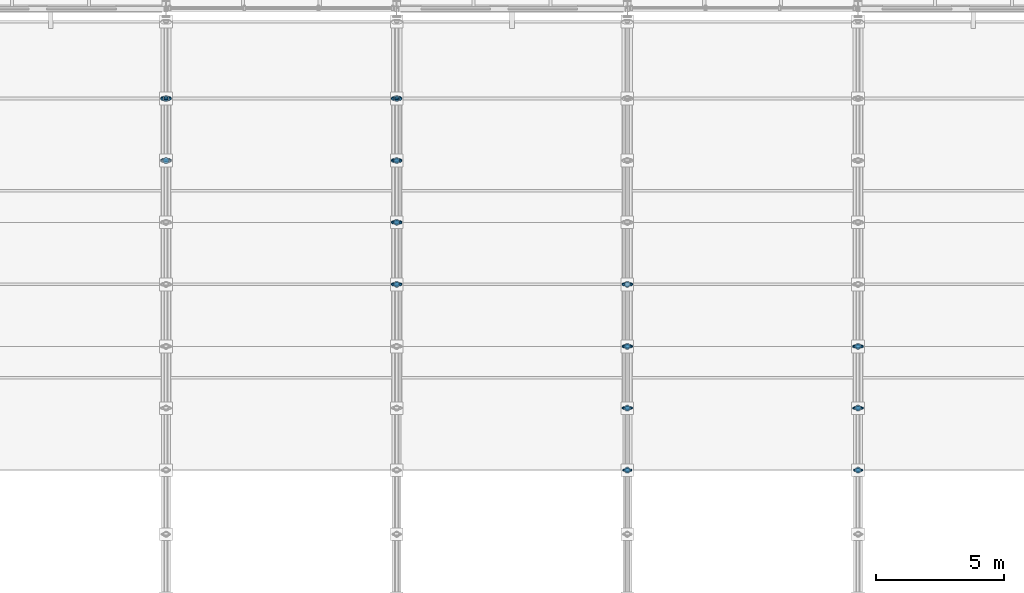
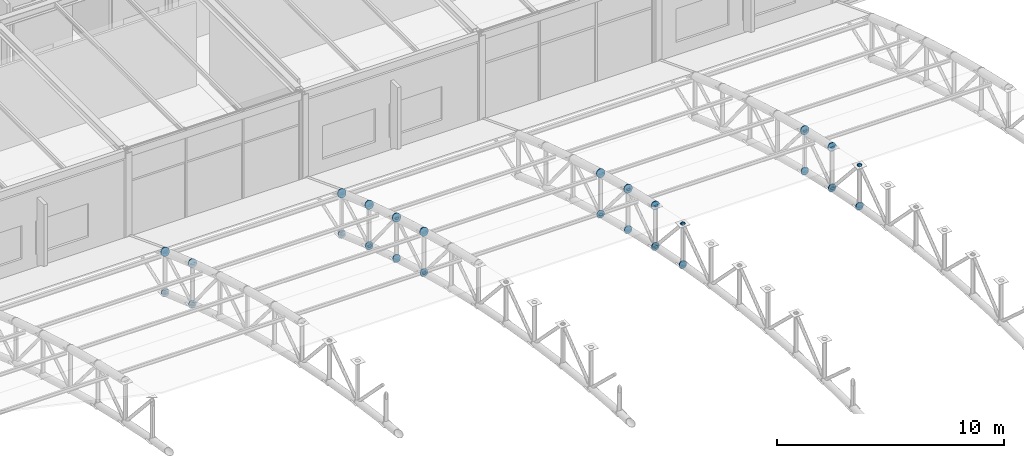
# One storey, part 135 of 195: 92 discrete accessories.
"""IFC4 building model written with IfcOpenShell, lengths in metres."""

from ifc_helpers import new_model, si_unit, direction, frame, origin, origin_2d, place, context, subcontext, project, spatial, circle, extrude, material, element, save


model = new_model("IFC4")

# Units and contexts
model_context = context("Model", 3, precision=1e-05, world=origin(), true_north=direction((0.0, 1.0)))
body_context = subcontext(model_context, "Body", "Model", "MODEL_VIEW")
ifc_project = project(units=[si_unit("LENGTHUNIT", "METRE"), si_unit("AREAUNIT", "SQUARE_METRE"), si_unit("VOLUMEUNIT", "CUBIC_METRE"), si_unit("PLANEANGLEUNIT", "RADIAN"), si_unit("MASSUNIT", "GRAM", prefix="KILO")], contexts=[model_context])

# Site, building, storey
site_placement = place(None, origin())
site = spatial("IfcSite", under=ifc_project, at=site_placement, CompositionType="ELEMENT")
building_placement = place(site_placement, origin())
building = spatial("IfcBuilding", under=site, at=building_placement, Name="Marlcrest Central Station", CompositionType="ELEMENT")
storey_placement = place(building_placement, frame((0.0, 0.0, 9.800048828125)))
storey = spatial("IfcBuildingStorey", under=building, at=storey_placement, Name="L02", CompositionType="ELEMENT", Elevation=9.800048828125)

# Discrete accessories
ifc_material = material(Name="Steel S355", Category="steel")
for number, where, z_axis, x_axis, name in (
    (1, (36.0, 93.06591796875, 2.454345703125), (0.0, 0.94353735649, -0.331266142109), (-1.0, 0.0, 0.0), "endcap-mem-AC-01-L02-00619-s"),
    (2, (36.0, 95.476318359375, 1.608154296875), (0.0, 0.94353735649, -0.331266142109), (-1.0, 0.0, 0.0), "endcap-mem-AC-01-L02-00619-e"),
):
    element("IfcDiscreteAccessory", number, at=place(storey_placement, frame(where, z_axis=z_axis, x_axis=x_axis)), inside=storey, material=ifc_material, Name=name, ObjectType="END_CAP_PLATE", PredefinedType="BRACKET", context=body_context, shape_type="SweptSolid", body=[
        extrude(circle(Radius=0.211181640625, at=origin_2d()), origin(), (0.0, 0.0, 1.0), 0.0400390625),
    ])
for number, where, z_axis, x_axis, name in (
    (3, (36.0, 93.06591796875, 0.25439453125), (0.0, 0.94353735649, -0.331266142109), (-1.0, 0.0, 0.0), "endcap-mem-AC-02-L02-00620-s"),
    (4, (36.0, 95.476318359375, -0.591796875), (0.0, 0.94353735649, -0.331266142109), (-1.0, 0.0, 0.0), "endcap-mem-AC-02-L02-00620-e"),
):
    element("IfcDiscreteAccessory", number, at=place(storey_placement, frame(where, z_axis=z_axis, x_axis=x_axis)), inside=storey, material=ifc_material, Name=name, ObjectType="END_CAP_PLATE", PredefinedType="BRACKET", context=body_context, shape_type="SweptSolid", body=[
        extrude(circle(Radius=0.185791015625, at=origin_2d()), origin(), (0.0, 0.0, 1.0), 0.0400390625),
    ])
for number, where, z_axis, x_axis, name in (
    (5, (36.0, 93.080078125, 0.234619140625), (0.0, 0.0, 1.0), (1.0, 0.0, 0.0), "endcap-mem-AP-01-L02-00621-s"),
    (6, (36.0, 93.080078125, 2.424560546875), (0.0, 0.0, 1.0), (1.0, 0.0, 0.0), "endcap-mem-AP-01-L02-00621-e"),
):
    element("IfcDiscreteAccessory", number, at=place(storey_placement, frame(where, z_axis=z_axis, x_axis=x_axis)), inside=storey, material=ifc_material, Name=name, ObjectType="END_CAP_PLATE", PredefinedType="BRACKET", context=body_context, shape_type="SweptSolid", body=[
        extrude(circle(Radius=0.117431640625, at=origin_2d()), origin(), (0.0, 0.0, 1.0), 0.0400390625),
    ])
for number, where, z_axis, x_axis, name in (
    (7, (36.0, 93.06689453125, 0.2421875), (0.0, 0.873245653167, 0.487280236851), (-1.0, 0.0, 0.0), "endcap-mem-AD-01-L02-00622-s"),
    (8, (36.0, 95.478271484375, 1.587646484375), (0.0, 0.873245653167, 0.487280236851), (-1.0, 0.0, 0.0), "endcap-mem-AD-01-L02-00622-e"),
):
    element("IfcDiscreteAccessory", number, at=place(storey_placement, frame(where, z_axis=z_axis, x_axis=x_axis)), inside=storey, material=ifc_material, Name=name, ObjectType="END_CAP_PLATE", PredefinedType="BRACKET", context=body_context, shape_type="SweptSolid", body=[
        extrude(circle(Radius=0.092041015625, at=origin_2d()), origin(), (0.0, 0.0, 1.0), 0.0400390625),
    ])
discrete_accessory_1_placement = place(storey_placement, frame((36.0, 95.486083984375, 1.605224609375), z_axis=(0.0, 0.933324071143, -0.359035065453), x_axis=(-1.0, 0.0, 0.0)))
element("IfcDiscreteAccessory", 9, at=discrete_accessory_1_placement, inside=storey, material=ifc_material, Name="endcap-mem-AC-01-L02-00623-s", ObjectType="END_CAP_PLATE", PredefinedType="BRACKET", context=body_context, shape_type="SweptSolid", body=[
    extrude(circle(Radius=0.211181640625, at=origin_2d()), origin(), (0.0, 0.0, 1.0), 0.0400390625),
])
for number, where, z_axis, x_axis, name in (
    (10, (36.0, 95.5, -0.614990234375), (0.0, 0.0, 1.0), (1.0, 0.0, 0.0), "endcap-mem-AP-01-L02-00624-s"),
    (11, (36.0, 95.5, 1.574951171875), (0.0, 0.0, 1.0), (1.0, 0.0, 0.0), "endcap-mem-AP-01-L02-00624-e"),
):
    element("IfcDiscreteAccessory", number, at=place(storey_placement, frame(where, z_axis=z_axis, x_axis=x_axis)), inside=storey, material=ifc_material, Name=name, ObjectType="END_CAP_PLATE", PredefinedType="BRACKET", context=body_context, shape_type="SweptSolid", body=[
        extrude(circle(Radius=0.117431640625, at=origin_2d()), origin(), (0.0, 0.0, 1.0), 0.0400390625),
    ])
discrete_accessory_2_placement = place(storey_placement, frame((36.0, 95.48583984375, -0.60498046875), z_axis=(0.0, 0.944260188635, 0.329200085296), x_axis=(-1.0, 0.0, 0.0)))
element("IfcDiscreteAccessory", 12, at=discrete_accessory_2_placement, inside=storey, material=ifc_material, Name="endcap-mem-AD-01-L02-00625-s", ObjectType="END_CAP_PLATE", PredefinedType="BRACKET", context=body_context, shape_type="SweptSolid", body=[
    extrude(circle(Radius=0.092041015625, at=origin_2d()), origin(), (0.0, 0.0, 1.0), 0.0400390625),
])
discrete_accessory_3_placement = place(storey_placement, frame((45.0, 88.225830078125, 3.934326171875), z_axis=(0.0, 0.967539481681, -0.252719906989), x_axis=(-1.0, 0.0, 0.0)))
element("IfcDiscreteAccessory", 13, at=discrete_accessory_3_placement, inside=storey, material=ifc_material, Name="endcap-mem-AC-01-L02-00723-e", ObjectType="END_CAP_PLATE", PredefinedType="BRACKET", context=body_context, shape_type="SweptSolid", body=[
    extrude(circle(Radius=0.211181640625, at=origin_2d()), origin(), (0.0, 0.0, 1.0), 0.0400390625),
])
discrete_accessory_4_placement = place(storey_placement, frame((45.0, 88.225830078125, 1.734375), z_axis=(0.0, 0.967563345928, -0.252628524946), x_axis=(-1.0, 0.0, 0.0)))
element("IfcDiscreteAccessory", 14, at=discrete_accessory_4_placement, inside=storey, material=ifc_material, Name="endcap-mem-AC-02-L02-00724-e", ObjectType="END_CAP_PLATE", PredefinedType="BRACKET", context=body_context, shape_type="SweptSolid", body=[
    extrude(circle(Radius=0.185791015625, at=origin_2d()), origin(), (0.0, 0.0, 1.0), 0.0400390625),
])
discrete_accessory_5_placement = place(storey_placement, frame((45.0, 88.233642578125, 1.7470703125), z_axis=(0.0, 0.649624779144, -0.760254987699), x_axis=(-1.0, 0.0, 0.0)))
element("IfcDiscreteAccessory", 15, at=discrete_accessory_5_placement, inside=storey, material=ifc_material, Name="endcap-mem-AD-01-L02-00726-e", ObjectType="END_CAP_PLATE", PredefinedType="BRACKET", context=body_context, shape_type="SweptSolid", body=[
    extrude(circle(Radius=0.092041015625, at=origin_2d()), origin(), (0.0, 0.0, 1.0), 0.0400390625),
])
for number, where, z_axis, x_axis, name in (
    (16, (45.0, 88.235595703125, 3.93212890625), (0.0, 0.960130083362, -0.27955361386), (-1.0, 0.0, 0.0), "endcap-mem-AC-01-L02-00727-s"),
    (17, (45.0, 90.64599609375, 3.23046875), (0.0, 0.960130083362, -0.27955361386), (-1.0, 0.0, 0.0), "endcap-mem-AC-01-L02-00727-e"),
):
    element("IfcDiscreteAccessory", number, at=place(storey_placement, frame(where, z_axis=z_axis, x_axis=x_axis)), inside=storey, material=ifc_material, Name=name, ObjectType="END_CAP_PLATE", PredefinedType="BRACKET", context=body_context, shape_type="SweptSolid", body=[
        extrude(circle(Radius=0.211181640625, at=origin_2d()), origin(), (0.0, 0.0, 1.0), 0.0400390625),
    ])
for number, where, z_axis, x_axis, name in (
    (18, (45.0, 88.235595703125, 1.732177734375), (0.0, 0.960130083362, -0.27955361386), (-1.0, 0.0, 0.0), "endcap-mem-AC-02-L02-00728-s"),
    (19, (45.0, 90.64599609375, 1.030517578125), (0.0, 0.960130083362, -0.27955361386), (-1.0, 0.0, 0.0), "endcap-mem-AC-02-L02-00728-e"),
):
    element("IfcDiscreteAccessory", number, at=place(storey_placement, frame(where, z_axis=z_axis, x_axis=x_axis)), inside=storey, material=ifc_material, Name=name, ObjectType="END_CAP_PLATE", PredefinedType="BRACKET", context=body_context, shape_type="SweptSolid", body=[
        extrude(circle(Radius=0.185791015625, at=origin_2d()), origin(), (0.0, 0.0, 1.0), 0.0400390625),
    ])
for number, where, z_axis, x_axis, name in (
    (20, (45.0, 88.25, 1.713134765625), (0.0, 0.0, 1.0), (1.0, 0.0, 0.0), "endcap-mem-AP-01-L02-00729-s"),
    (21, (45.0, 88.25, 3.903076171875), (0.0, 0.0, 1.0), (1.0, 0.0, 0.0), "endcap-mem-AP-01-L02-00729-e"),
):
    element("IfcDiscreteAccessory", number, at=place(storey_placement, frame(where, z_axis=z_axis, x_axis=x_axis)), inside=storey, material=ifc_material, Name=name, ObjectType="END_CAP_PLATE", PredefinedType="BRACKET", context=body_context, shape_type="SweptSolid", body=[
        extrude(circle(Radius=0.117431640625, at=origin_2d()), origin(), (0.0, 0.0, 1.0), 0.0400390625),
    ])
for number, where, z_axis, x_axis, name in (
    (22, (45.0, 88.2373046875, 1.72021484375), (0.0, 0.850687380038, 0.525671933286), (-1.0, 0.0, 0.0), "endcap-mem-AD-01-L02-00730-s"),
    (23, (45.0, 90.648681640625, 3.210205078125), (0.0, 0.850687380038, 0.525671933286), (-1.0, 0.0, 0.0), "endcap-mem-AD-01-L02-00730-e"),
):
    element("IfcDiscreteAccessory", number, at=place(storey_placement, frame(where, z_axis=z_axis, x_axis=x_axis)), inside=storey, material=ifc_material, Name=name, ObjectType="END_CAP_PLATE", PredefinedType="BRACKET", context=body_context, shape_type="SweptSolid", body=[
        extrude(circle(Radius=0.092041015625, at=origin_2d()), origin(), (0.0, 0.0, 1.0), 0.0400390625),
    ])
for number, where, z_axis, x_axis, name in (
    (24, (45.0, 90.65576171875, 3.22802734375), (0.0, 0.952116828449, -0.305734435391), (-1.0, 0.0, 0.0), "endcap-mem-AC-01-L02-00731-s"),
    (25, (45.0, 93.056396484375, 2.45703125), (0.0, 0.952116828449, -0.305734435391), (-1.0, 0.0, 0.0), "endcap-mem-AC-01-L02-00731-e"),
):
    element("IfcDiscreteAccessory", number, at=place(storey_placement, frame(where, z_axis=z_axis, x_axis=x_axis)), inside=storey, material=ifc_material, Name=name, ObjectType="END_CAP_PLATE", PredefinedType="BRACKET", context=body_context, shape_type="SweptSolid", body=[
        extrude(circle(Radius=0.211181640625, at=origin_2d()), origin(), (0.0, 0.0, 1.0), 0.0400390625),
    ])
for number, where, z_axis, x_axis, name in (
    (26, (45.0, 90.65576171875, 1.028076171875), (0.0, 0.952116828449, -0.305734435391), (-1.0, 0.0, 0.0), "endcap-mem-AC-02-L02-00732-s"),
    (27, (45.0, 93.056396484375, 0.257080078125), (0.0, 0.952116828449, -0.305734435391), (-1.0, 0.0, 0.0), "endcap-mem-AC-02-L02-00732-e"),
):
    element("IfcDiscreteAccessory", number, at=place(storey_placement, frame(where, z_axis=z_axis, x_axis=x_axis)), inside=storey, material=ifc_material, Name=name, ObjectType="END_CAP_PLATE", PredefinedType="BRACKET", context=body_context, shape_type="SweptSolid", body=[
        extrude(circle(Radius=0.185791015625, at=origin_2d()), origin(), (0.0, 0.0, 1.0), 0.0400390625),
    ])
for number, where, z_axis, x_axis, name in (
    (28, (45.0, 90.669921875, 1.008544921875), (0.0, 0.0, 1.0), (1.0, 0.0, 0.0), "endcap-mem-AP-01-L02-00733-s"),
    (29, (45.0, 90.669921875, 3.198486328125), (0.0, 0.0, 1.0), (1.0, 0.0, 0.0), "endcap-mem-AP-01-L02-00733-e"),
):
    element("IfcDiscreteAccessory", number, at=place(storey_placement, frame(where, z_axis=z_axis, x_axis=x_axis)), inside=storey, material=ifc_material, Name=name, ObjectType="END_CAP_PLATE", PredefinedType="BRACKET", context=body_context, shape_type="SweptSolid", body=[
        extrude(circle(Radius=0.117431640625, at=origin_2d()), origin(), (0.0, 0.0, 1.0), 0.0400390625),
    ])
for number, where, z_axis, x_axis, name in (
    (30, (45.0, 90.660400390625, 3.235107421875), (0.0, 0.62962929743, -0.776895712318), (-1.0, 0.0, 0.0), "endcap-mem-AD-01-L02-00734-s"),
    (31, (45.0, 93.064453125, 0.26904296875), (0.0, 0.62962929743, -0.776895712318), (-1.0, 0.0, 0.0), "endcap-mem-AD-01-L02-00734-e"),
):
    element("IfcDiscreteAccessory", number, at=place(storey_placement, frame(where, z_axis=z_axis, x_axis=x_axis)), inside=storey, material=ifc_material, Name=name, ObjectType="END_CAP_PLATE", PredefinedType="BRACKET", context=body_context, shape_type="SweptSolid", body=[
        extrude(circle(Radius=0.092041015625, at=origin_2d()), origin(), (0.0, 0.0, 1.0), 0.0400390625),
    ])
for number, where, z_axis, x_axis, name in (
    (32, (45.0, 93.06591796875, 2.454345703125), (0.0, 0.94353735649, -0.331266142109), (-1.0, 0.0, 0.0), "endcap-mem-AC-01-L02-00735-s"),
    (33, (45.0, 95.476318359375, 1.608154296875), (0.0, 0.94353735649, -0.331266142109), (-1.0, 0.0, 0.0), "endcap-mem-AC-01-L02-00735-e"),
):
    element("IfcDiscreteAccessory", number, at=place(storey_placement, frame(where, z_axis=z_axis, x_axis=x_axis)), inside=storey, material=ifc_material, Name=name, ObjectType="END_CAP_PLATE", PredefinedType="BRACKET", context=body_context, shape_type="SweptSolid", body=[
        extrude(circle(Radius=0.211181640625, at=origin_2d()), origin(), (0.0, 0.0, 1.0), 0.0400390625),
    ])
for number, where, z_axis, x_axis, name in (
    (34, (45.0, 93.06591796875, 0.25439453125), (0.0, 0.94353735649, -0.331266142109), (-1.0, 0.0, 0.0), "endcap-mem-AC-02-L02-00736-s"),
    (35, (45.0, 95.476318359375, -0.591796875), (0.0, 0.94353735649, -0.331266142109), (-1.0, 0.0, 0.0), "endcap-mem-AC-02-L02-00736-e"),
):
    element("IfcDiscreteAccessory", number, at=place(storey_placement, frame(where, z_axis=z_axis, x_axis=x_axis)), inside=storey, material=ifc_material, Name=name, ObjectType="END_CAP_PLATE", PredefinedType="BRACKET", context=body_context, shape_type="SweptSolid", body=[
        extrude(circle(Radius=0.185791015625, at=origin_2d()), origin(), (0.0, 0.0, 1.0), 0.0400390625),
    ])
for number, where, z_axis, x_axis, name in (
    (36, (45.0, 93.080078125, 0.234619140625), (0.0, 0.0, 1.0), (1.0, 0.0, 0.0), "endcap-mem-AP-01-L02-00737-s"),
    (37, (45.0, 93.080078125, 2.424560546875), (0.0, 0.0, 1.0), (1.0, 0.0, 0.0), "endcap-mem-AP-01-L02-00737-e"),
):
    element("IfcDiscreteAccessory", number, at=place(storey_placement, frame(where, z_axis=z_axis, x_axis=x_axis)), inside=storey, material=ifc_material, Name=name, ObjectType="END_CAP_PLATE", PredefinedType="BRACKET", context=body_context, shape_type="SweptSolid", body=[
        extrude(circle(Radius=0.117431640625, at=origin_2d()), origin(), (0.0, 0.0, 1.0), 0.0400390625),
    ])
for number, where, z_axis, x_axis, name in (
    (38, (45.0, 93.06689453125, 0.2421875), (0.0, 0.873245653167, 0.487280236851), (-1.0, 0.0, 0.0), "endcap-mem-AD-01-L02-00738-s"),
    (39, (45.0, 95.478271484375, 1.587646484375), (0.0, 0.873245653167, 0.487280236851), (-1.0, 0.0, 0.0), "endcap-mem-AD-01-L02-00738-e"),
):
    element("IfcDiscreteAccessory", number, at=place(storey_placement, frame(where, z_axis=z_axis, x_axis=x_axis)), inside=storey, material=ifc_material, Name=name, ObjectType="END_CAP_PLATE", PredefinedType="BRACKET", context=body_context, shape_type="SweptSolid", body=[
        extrude(circle(Radius=0.092041015625, at=origin_2d()), origin(), (0.0, 0.0, 1.0), 0.0400390625),
    ])
discrete_accessory_6_placement = place(storey_placement, frame((45.0, 95.486083984375, 1.605224609375), z_axis=(0.0, 0.933324071143, -0.359035065453), x_axis=(-1.0, 0.0, 0.0)))
element("IfcDiscreteAccessory", 40, at=discrete_accessory_6_placement, inside=storey, material=ifc_material, Name="endcap-mem-AC-01-L02-00739-s", ObjectType="END_CAP_PLATE", PredefinedType="BRACKET", context=body_context, shape_type="SweptSolid", body=[
    extrude(circle(Radius=0.211181640625, at=origin_2d()), origin(), (0.0, 0.0, 1.0), 0.0400390625),
])
for number, where, z_axis, x_axis, name in (
    (41, (45.0, 95.5, -0.614990234375), (0.0, 0.0, 1.0), (1.0, 0.0, 0.0), "endcap-mem-AP-01-L02-00740-s"),
    (42, (45.0, 95.5, 1.574951171875), (0.0, 0.0, 1.0), (1.0, 0.0, 0.0), "endcap-mem-AP-01-L02-00740-e"),
):
    element("IfcDiscreteAccessory", number, at=place(storey_placement, frame(where, z_axis=z_axis, x_axis=x_axis)), inside=storey, material=ifc_material, Name=name, ObjectType="END_CAP_PLATE", PredefinedType="BRACKET", context=body_context, shape_type="SweptSolid", body=[
        extrude(circle(Radius=0.117431640625, at=origin_2d()), origin(), (0.0, 0.0, 1.0), 0.0400390625),
    ])
discrete_accessory_7_placement = place(storey_placement, frame((45.0, 95.48583984375, -0.60498046875), z_axis=(0.0, 0.944260188635, 0.329200085296), x_axis=(-1.0, 0.0, 0.0)))
element("IfcDiscreteAccessory", 43, at=discrete_accessory_7_placement, inside=storey, material=ifc_material, Name="endcap-mem-AD-01-L02-00741-s", ObjectType="END_CAP_PLATE", PredefinedType="BRACKET", context=body_context, shape_type="SweptSolid", body=[
    extrude(circle(Radius=0.092041015625, at=origin_2d()), origin(), (0.0, 0.0, 1.0), 0.0400390625),
])
discrete_accessory_8_placement = place(storey_placement, frame((54.0, 80.975341796875, 3.407958984375), z_axis=(0.0, 0.98574109921, -0.168269086076), x_axis=(-1.0, 0.0, 0.0)))
element("IfcDiscreteAccessory", 44, at=discrete_accessory_8_placement, inside=storey, material=ifc_material, Name="endcap-mem-AC-02-L02-00828-e", ObjectType="END_CAP_PLATE", PredefinedType="BRACKET", context=body_context, shape_type="SweptSolid", body=[
    extrude(circle(Radius=0.185791015625, at=origin_2d()), origin(), (0.0, 0.0, 1.0), 0.0400390625),
])
discrete_accessory_9_placement = place(storey_placement, frame((54.0, 80.9794921875, 5.58935546875), z_axis=(0.0, 0.815661132754, 0.57852996164), x_axis=(-1.0, 0.0, 0.0)))
element("IfcDiscreteAccessory", 45, at=discrete_accessory_9_placement, inside=storey, material=ifc_material, Name="endcap-mem-AD-01-L02-00830-e", ObjectType="END_CAP_PLATE", PredefinedType="BRACKET", context=body_context, shape_type="SweptSolid", body=[
    extrude(circle(Radius=0.092041015625, at=origin_2d()), origin(), (0.0, 0.0, 1.0), 0.0400390625),
])
for number, where, z_axis, x_axis, name in (
    (46, (54.0, 80.9853515625, 3.40673828125), (0.0, 0.980359417961, -0.197219196874), (-1.0, 0.0, 0.0), "endcap-mem-AC-02-L02-00832-s"),
    (47, (54.0, 83.3955078125, 2.921875), (0.0, 0.980359417961, -0.197219196874), (-1.0, 0.0, 0.0), "endcap-mem-AC-02-L02-00832-e"),
):
    element("IfcDiscreteAccessory", number, at=place(storey_placement, frame(where, z_axis=z_axis, x_axis=x_axis)), inside=storey, material=ifc_material, Name=name, ObjectType="END_CAP_PLATE", PredefinedType="BRACKET", context=body_context, shape_type="SweptSolid", body=[
        extrude(circle(Radius=0.185791015625, at=origin_2d()), origin(), (0.0, 0.0, 1.0), 0.0400390625),
    ])
for number, where, z_axis, x_axis, name in (
    (48, (54.0, 81.0, 3.388916015625), (0.0, 0.0, 1.0), (1.0, 0.0, 0.0), "endcap-mem-AP-01-L02-00833-s"),
    (49, (54.0, 81.0, 5.578857421875), (0.0, 0.0, 1.0), (1.0, 0.0, 0.0), "endcap-mem-AP-01-L02-00833-e"),
):
    element("IfcDiscreteAccessory", number, at=place(storey_placement, frame(where, z_axis=z_axis, x_axis=x_axis)), inside=storey, material=ifc_material, Name=name, ObjectType="END_CAP_PLATE", PredefinedType="BRACKET", context=body_context, shape_type="SweptSolid", body=[
        extrude(circle(Radius=0.117431640625, at=origin_2d()), origin(), (0.0, 0.0, 1.0), 0.0400390625),
    ])
for number, where, z_axis, x_axis, name in (
    (50, (54.0, 80.989990234375, 5.614990234375), (0.0, 0.669244457479, -0.743042297675), (-1.0, 0.0, 0.0), "endcap-mem-AD-01-L02-00834-s"),
    (51, (54.0, 83.403076171875, 2.935546875), (0.0, 0.669244457479, -0.743042297675), (-1.0, 0.0, 0.0), "endcap-mem-AD-01-L02-00834-e"),
):
    element("IfcDiscreteAccessory", number, at=place(storey_placement, frame(where, z_axis=z_axis, x_axis=x_axis)), inside=storey, material=ifc_material, Name=name, ObjectType="END_CAP_PLATE", PredefinedType="BRACKET", context=body_context, shape_type="SweptSolid", body=[
        extrude(circle(Radius=0.092041015625, at=origin_2d()), origin(), (0.0, 0.0, 1.0), 0.0400390625),
    ])
for number, where, z_axis, x_axis, name in (
    (52, (54.0, 83.4052734375, 5.120361328125), (0.0, 0.974329612642, -0.225126200004), (-1.0, 0.0, 0.0), "endcap-mem-AC-01-L02-00835-s"),
    (53, (54.0, 85.8056640625, 4.565673828125), (0.0, 0.974329612642, -0.225126200004), (-1.0, 0.0, 0.0), "endcap-mem-AC-01-L02-00835-e"),
):
    element("IfcDiscreteAccessory", number, at=place(storey_placement, frame(where, z_axis=z_axis, x_axis=x_axis)), inside=storey, material=ifc_material, Name=name, ObjectType="END_CAP_PLATE", PredefinedType="BRACKET", context=body_context, shape_type="SweptSolid", body=[
        extrude(circle(Radius=0.211181640625, at=origin_2d()), origin(), (0.0, 0.0, 1.0), 0.0400390625),
    ])
for number, where, z_axis, x_axis, name in (
    (54, (54.0, 83.4052734375, 2.92041015625), (0.0, 0.974307959875, -0.225219891049), (-1.0, 0.0, 0.0), "endcap-mem-AC-02-L02-00836-s"),
    (55, (54.0, 85.8056640625, 2.365478515625), (0.0, 0.974307959875, -0.225219891049), (-1.0, 0.0, 0.0), "endcap-mem-AC-02-L02-00836-e"),
):
    element("IfcDiscreteAccessory", number, at=place(storey_placement, frame(where, z_axis=z_axis, x_axis=x_axis)), inside=storey, material=ifc_material, Name=name, ObjectType="END_CAP_PLATE", PredefinedType="BRACKET", context=body_context, shape_type="SweptSolid", body=[
        extrude(circle(Radius=0.185791015625, at=origin_2d()), origin(), (0.0, 0.0, 1.0), 0.0400390625),
    ])
for number, where, z_axis, x_axis, name in (
    (56, (54.0, 83.419921875, 2.902099609375), (0.0, 0.0, 1.0), (1.0, 0.0, 0.0), "endcap-mem-AP-01-L02-00837-s"),
    (57, (54.0, 83.419921875, 5.092041015625), (0.0, 0.0, 1.0), (1.0, 0.0, 0.0), "endcap-mem-AP-01-L02-00837-e"),
):
    element("IfcDiscreteAccessory", number, at=place(storey_placement, frame(where, z_axis=z_axis, x_axis=x_axis)), inside=storey, material=ifc_material, Name=name, ObjectType="END_CAP_PLATE", PredefinedType="BRACKET", context=body_context, shape_type="SweptSolid", body=[
        extrude(circle(Radius=0.117431640625, at=origin_2d()), origin(), (0.0, 0.0, 1.0), 0.0400390625),
    ])
for number, where, z_axis, x_axis, name in (
    (58, (54.0, 83.407470703125, 2.908447265625), (0.0, 0.82626275624, 0.563284881432), (-1.0, 0.0, 0.0), "endcap-mem-AD-01-L02-00838-s"),
    (59, (54.0, 85.809326171875, 4.5458984375), (0.0, 0.82626275624, 0.563284881432), (-1.0, 0.0, 0.0), "endcap-mem-AD-01-L02-00838-e"),
):
    element("IfcDiscreteAccessory", number, at=place(storey_placement, frame(where, z_axis=z_axis, x_axis=x_axis)), inside=storey, material=ifc_material, Name=name, ObjectType="END_CAP_PLATE", PredefinedType="BRACKET", context=body_context, shape_type="SweptSolid", body=[
        extrude(circle(Radius=0.092041015625, at=origin_2d()), origin(), (0.0, 0.0, 1.0), 0.0400390625),
    ])
for number, where, z_axis, x_axis, name in (
    (60, (54.0, 85.815673828125, 4.56396484375), (0.0, 0.967539481681, -0.252719906989), (-1.0, 0.0, 0.0), "endcap-mem-AC-01-L02-00839-s"),
    (61, (54.0, 88.225830078125, 3.934326171875), (0.0, 0.967539481681, -0.252719906989), (-1.0, 0.0, 0.0), "endcap-mem-AC-01-L02-00839-e"),
):
    element("IfcDiscreteAccessory", number, at=place(storey_placement, frame(where, z_axis=z_axis, x_axis=x_axis)), inside=storey, material=ifc_material, Name=name, ObjectType="END_CAP_PLATE", PredefinedType="BRACKET", context=body_context, shape_type="SweptSolid", body=[
        extrude(circle(Radius=0.211181640625, at=origin_2d()), origin(), (0.0, 0.0, 1.0), 0.0400390625),
    ])
for number, where, z_axis, x_axis, name in (
    (62, (54.0, 85.815673828125, 2.36376953125), (0.0, 0.967563345928, -0.252628524946), (-1.0, 0.0, 0.0), "endcap-mem-AC-02-L02-00840-s"),
    (63, (54.0, 88.225830078125, 1.734375), (0.0, 0.967563345928, -0.252628524946), (-1.0, 0.0, 0.0), "endcap-mem-AC-02-L02-00840-e"),
):
    element("IfcDiscreteAccessory", number, at=place(storey_placement, frame(where, z_axis=z_axis, x_axis=x_axis)), inside=storey, material=ifc_material, Name=name, ObjectType="END_CAP_PLATE", PredefinedType="BRACKET", context=body_context, shape_type="SweptSolid", body=[
        extrude(circle(Radius=0.185791015625, at=origin_2d()), origin(), (0.0, 0.0, 1.0), 0.0400390625),
    ])
for number, where, z_axis, x_axis, name in (
    (64, (54.0, 85.830078125, 2.344970703125), (0.0, 0.0, 1.0), (1.0, 0.0, 0.0), "endcap-mem-AP-01-L02-00841-s"),
    (65, (54.0, 85.830078125, 4.53515625), (0.0, 0.0, 1.0), (1.0, 0.0, 0.0), "endcap-mem-AP-01-L02-00841-e"),
):
    element("IfcDiscreteAccessory", number, at=place(storey_placement, frame(where, z_axis=z_axis, x_axis=x_axis)), inside=storey, material=ifc_material, Name=name, ObjectType="END_CAP_PLATE", PredefinedType="BRACKET", context=body_context, shape_type="SweptSolid", body=[
        extrude(circle(Radius=0.117431640625, at=origin_2d()), origin(), (0.0, 0.0, 1.0), 0.0400390625),
    ])
for number, where, z_axis, x_axis, name in (
    (66, (54.0, 85.8203125, 4.571533203125), (0.0, 0.649624779144, -0.760254987699), (-1.0, 0.0, 0.0), "endcap-mem-AD-01-L02-00842-s"),
    (67, (54.0, 88.233642578125, 1.7470703125), (0.0, 0.649624779144, -0.760254987699), (-1.0, 0.0, 0.0), "endcap-mem-AD-01-L02-00842-e"),
):
    element("IfcDiscreteAccessory", number, at=place(storey_placement, frame(where, z_axis=z_axis, x_axis=x_axis)), inside=storey, material=ifc_material, Name=name, ObjectType="END_CAP_PLATE", PredefinedType="BRACKET", context=body_context, shape_type="SweptSolid", body=[
        extrude(circle(Radius=0.092041015625, at=origin_2d()), origin(), (0.0, 0.0, 1.0), 0.0400390625),
    ])
discrete_accessory_10_placement = place(storey_placement, frame((54.0, 88.235595703125, 3.93212890625), z_axis=(0.0, 0.960130083362, -0.27955361386), x_axis=(-1.0, 0.0, 0.0)))
element("IfcDiscreteAccessory", 68, at=discrete_accessory_10_placement, inside=storey, material=ifc_material, Name="endcap-mem-AC-01-L02-00843-s", ObjectType="END_CAP_PLATE", PredefinedType="BRACKET", context=body_context, shape_type="SweptSolid", body=[
    extrude(circle(Radius=0.211181640625, at=origin_2d()), origin(), (0.0, 0.0, 1.0), 0.0400390625),
])
discrete_accessory_11_placement = place(storey_placement, frame((54.0, 88.235595703125, 1.732177734375), z_axis=(0.0, 0.960130083362, -0.27955361386), x_axis=(-1.0, 0.0, 0.0)))
element("IfcDiscreteAccessory", 69, at=discrete_accessory_11_placement, inside=storey, material=ifc_material, Name="endcap-mem-AC-02-L02-00844-s", ObjectType="END_CAP_PLATE", PredefinedType="BRACKET", context=body_context, shape_type="SweptSolid", body=[
    extrude(circle(Radius=0.185791015625, at=origin_2d()), origin(), (0.0, 0.0, 1.0), 0.0400390625),
])
for number, where, z_axis, x_axis, name in (
    (70, (54.0, 88.25, 1.713134765625), (0.0, 0.0, 1.0), (1.0, 0.0, 0.0), "endcap-mem-AP-01-L02-00845-s"),
    (71, (54.0, 88.25, 3.903076171875), (0.0, 0.0, 1.0), (1.0, 0.0, 0.0), "endcap-mem-AP-01-L02-00845-e"),
):
    element("IfcDiscreteAccessory", number, at=place(storey_placement, frame(where, z_axis=z_axis, x_axis=x_axis)), inside=storey, material=ifc_material, Name=name, ObjectType="END_CAP_PLATE", PredefinedType="BRACKET", context=body_context, shape_type="SweptSolid", body=[
        extrude(circle(Radius=0.117431640625, at=origin_2d()), origin(), (0.0, 0.0, 1.0), 0.0400390625),
    ])
discrete_accessory_12_placement = place(storey_placement, frame((63.0, 80.975341796875, 3.407958984375), z_axis=(0.0, 0.98574109921, -0.168269086076), x_axis=(-1.0, 0.0, 0.0)))
element("IfcDiscreteAccessory", 72, at=discrete_accessory_12_placement, inside=storey, material=ifc_material, Name="endcap-mem-AC-02-L02-00944-e", ObjectType="END_CAP_PLATE", PredefinedType="BRACKET", context=body_context, shape_type="SweptSolid", body=[
    extrude(circle(Radius=0.185791015625, at=origin_2d()), origin(), (0.0, 0.0, 1.0), 0.0400390625),
])
discrete_accessory_13_placement = place(storey_placement, frame((63.0, 80.9794921875, 5.58935546875), z_axis=(0.0, 0.815661132754, 0.57852996164), x_axis=(-1.0, 0.0, 0.0)))
element("IfcDiscreteAccessory", 73, at=discrete_accessory_13_placement, inside=storey, material=ifc_material, Name="endcap-mem-AD-01-L02-00946-e", ObjectType="END_CAP_PLATE", PredefinedType="BRACKET", context=body_context, shape_type="SweptSolid", body=[
    extrude(circle(Radius=0.092041015625, at=origin_2d()), origin(), (0.0, 0.0, 1.0), 0.0400390625),
])
for number, where, z_axis, x_axis, name in (
    (74, (63.0, 80.9853515625, 3.40673828125), (0.0, 0.980359417961, -0.197219196874), (-1.0, 0.0, 0.0), "endcap-mem-AC-02-L02-00948-s"),
    (75, (63.0, 83.3955078125, 2.921875), (0.0, 0.980359417961, -0.197219196874), (-1.0, 0.0, 0.0), "endcap-mem-AC-02-L02-00948-e"),
):
    element("IfcDiscreteAccessory", number, at=place(storey_placement, frame(where, z_axis=z_axis, x_axis=x_axis)), inside=storey, material=ifc_material, Name=name, ObjectType="END_CAP_PLATE", PredefinedType="BRACKET", context=body_context, shape_type="SweptSolid", body=[
        extrude(circle(Radius=0.185791015625, at=origin_2d()), origin(), (0.0, 0.0, 1.0), 0.0400390625),
    ])
for number, where, z_axis, x_axis, name in (
    (76, (63.0, 81.0, 3.388916015625), (0.0, 0.0, 1.0), (1.0, 0.0, 0.0), "endcap-mem-AP-01-L02-00949-s"),
    (77, (63.0, 81.0, 5.578857421875), (0.0, 0.0, 1.0), (1.0, 0.0, 0.0), "endcap-mem-AP-01-L02-00949-e"),
):
    element("IfcDiscreteAccessory", number, at=place(storey_placement, frame(where, z_axis=z_axis, x_axis=x_axis)), inside=storey, material=ifc_material, Name=name, ObjectType="END_CAP_PLATE", PredefinedType="BRACKET", context=body_context, shape_type="SweptSolid", body=[
        extrude(circle(Radius=0.117431640625, at=origin_2d()), origin(), (0.0, 0.0, 1.0), 0.0400390625),
    ])
for number, where, z_axis, x_axis, name in (
    (78, (63.0, 80.989990234375, 5.614990234375), (0.0, 0.669244457479, -0.743042297675), (-1.0, 0.0, 0.0), "endcap-mem-AD-01-L02-00950-s"),
    (79, (63.0, 83.403076171875, 2.935546875), (0.0, 0.669244457479, -0.743042297675), (-1.0, 0.0, 0.0), "endcap-mem-AD-01-L02-00950-e"),
):
    element("IfcDiscreteAccessory", number, at=place(storey_placement, frame(where, z_axis=z_axis, x_axis=x_axis)), inside=storey, material=ifc_material, Name=name, ObjectType="END_CAP_PLATE", PredefinedType="BRACKET", context=body_context, shape_type="SweptSolid", body=[
        extrude(circle(Radius=0.092041015625, at=origin_2d()), origin(), (0.0, 0.0, 1.0), 0.0400390625),
    ])
for number, where, z_axis, x_axis, name in (
    (80, (63.0, 83.4052734375, 5.120361328125), (0.0, 0.974329612642, -0.225126200004), (-1.0, 0.0, 0.0), "endcap-mem-AC-01-L02-00951-s"),
    (81, (63.0, 85.8056640625, 4.565673828125), (0.0, 0.974329612642, -0.225126200004), (-1.0, 0.0, 0.0), "endcap-mem-AC-01-L02-00951-e"),
):
    element("IfcDiscreteAccessory", number, at=place(storey_placement, frame(where, z_axis=z_axis, x_axis=x_axis)), inside=storey, material=ifc_material, Name=name, ObjectType="END_CAP_PLATE", PredefinedType="BRACKET", context=body_context, shape_type="SweptSolid", body=[
        extrude(circle(Radius=0.211181640625, at=origin_2d()), origin(), (0.0, 0.0, 1.0), 0.0400390625),
    ])
for number, where, z_axis, x_axis, name in (
    (82, (63.0, 83.4052734375, 2.92041015625), (0.0, 0.974307959875, -0.225219891049), (-1.0, 0.0, 0.0), "endcap-mem-AC-02-L02-00952-s"),
    (83, (63.0, 85.8056640625, 2.365478515625), (0.0, 0.974307959875, -0.225219891049), (-1.0, 0.0, 0.0), "endcap-mem-AC-02-L02-00952-e"),
):
    element("IfcDiscreteAccessory", number, at=place(storey_placement, frame(where, z_axis=z_axis, x_axis=x_axis)), inside=storey, material=ifc_material, Name=name, ObjectType="END_CAP_PLATE", PredefinedType="BRACKET", context=body_context, shape_type="SweptSolid", body=[
        extrude(circle(Radius=0.185791015625, at=origin_2d()), origin(), (0.0, 0.0, 1.0), 0.0400390625),
    ])
for number, where, z_axis, x_axis, name in (
    (84, (63.0, 83.419921875, 2.902099609375), (0.0, 0.0, 1.0), (1.0, 0.0, 0.0), "endcap-mem-AP-01-L02-00953-s"),
    (85, (63.0, 83.419921875, 5.092041015625), (0.0, 0.0, 1.0), (1.0, 0.0, 0.0), "endcap-mem-AP-01-L02-00953-e"),
):
    element("IfcDiscreteAccessory", number, at=place(storey_placement, frame(where, z_axis=z_axis, x_axis=x_axis)), inside=storey, material=ifc_material, Name=name, ObjectType="END_CAP_PLATE", PredefinedType="BRACKET", context=body_context, shape_type="SweptSolid", body=[
        extrude(circle(Radius=0.117431640625, at=origin_2d()), origin(), (0.0, 0.0, 1.0), 0.0400390625),
    ])
for number, where, z_axis, x_axis, name in (
    (86, (63.0, 83.407470703125, 2.908447265625), (0.0, 0.82626275624, 0.563284881432), (-1.0, 0.0, 0.0), "endcap-mem-AD-01-L02-00954-s"),
    (87, (63.0, 85.809326171875, 4.5458984375), (0.0, 0.82626275624, 0.563284881432), (-1.0, 0.0, 0.0), "endcap-mem-AD-01-L02-00954-e"),
):
    element("IfcDiscreteAccessory", number, at=place(storey_placement, frame(where, z_axis=z_axis, x_axis=x_axis)), inside=storey, material=ifc_material, Name=name, ObjectType="END_CAP_PLATE", PredefinedType="BRACKET", context=body_context, shape_type="SweptSolid", body=[
        extrude(circle(Radius=0.092041015625, at=origin_2d()), origin(), (0.0, 0.0, 1.0), 0.0400390625),
    ])
discrete_accessory_14_placement = place(storey_placement, frame((63.0, 85.815673828125, 4.56396484375), z_axis=(0.0, 0.967539481681, -0.252719906989), x_axis=(-1.0, 0.0, 0.0)))
element("IfcDiscreteAccessory", 88, at=discrete_accessory_14_placement, inside=storey, material=ifc_material, Name="endcap-mem-AC-01-L02-00955-s", ObjectType="END_CAP_PLATE", PredefinedType="BRACKET", context=body_context, shape_type="SweptSolid", body=[
    extrude(circle(Radius=0.211181640625, at=origin_2d()), origin(), (0.0, 0.0, 1.0), 0.0400390625),
])
discrete_accessory_15_placement = place(storey_placement, frame((63.0, 85.815673828125, 2.36376953125), z_axis=(0.0, 0.967563345928, -0.252628524946), x_axis=(-1.0, 0.0, 0.0)))
element("IfcDiscreteAccessory", 89, at=discrete_accessory_15_placement, inside=storey, material=ifc_material, Name="endcap-mem-AC-02-L02-00956-s", ObjectType="END_CAP_PLATE", PredefinedType="BRACKET", context=body_context, shape_type="SweptSolid", body=[
    extrude(circle(Radius=0.185791015625, at=origin_2d()), origin(), (0.0, 0.0, 1.0), 0.0400390625),
])
for number, where, z_axis, x_axis, name in (
    (90, (63.0, 85.830078125, 2.344970703125), (0.0, 0.0, 1.0), (1.0, 0.0, 0.0), "endcap-mem-AP-01-L02-00957-s"),
    (91, (63.0, 85.830078125, 4.53515625), (0.0, 0.0, 1.0), (1.0, 0.0, 0.0), "endcap-mem-AP-01-L02-00957-e"),
):
    element("IfcDiscreteAccessory", number, at=place(storey_placement, frame(where, z_axis=z_axis, x_axis=x_axis)), inside=storey, material=ifc_material, Name=name, ObjectType="END_CAP_PLATE", PredefinedType="BRACKET", context=body_context, shape_type="SweptSolid", body=[
        extrude(circle(Radius=0.117431640625, at=origin_2d()), origin(), (0.0, 0.0, 1.0), 0.0400390625),
    ])
discrete_accessory_16_placement = place(storey_placement, frame((63.0, 85.8203125, 4.571533203125), z_axis=(0.0, 0.649624779144, -0.760254987699), x_axis=(-1.0, 0.0, 0.0)))
element("IfcDiscreteAccessory", 92, at=discrete_accessory_16_placement, inside=storey, material=ifc_material, Name="endcap-mem-AD-01-L02-00958-s", ObjectType="END_CAP_PLATE", PredefinedType="BRACKET", context=body_context, shape_type="SweptSolid", body=[
    extrude(circle(Radius=0.092041015625, at=origin_2d()), origin(), (0.0, 0.0, 1.0), 0.0400390625),
])

save(model, "model.ifc")
